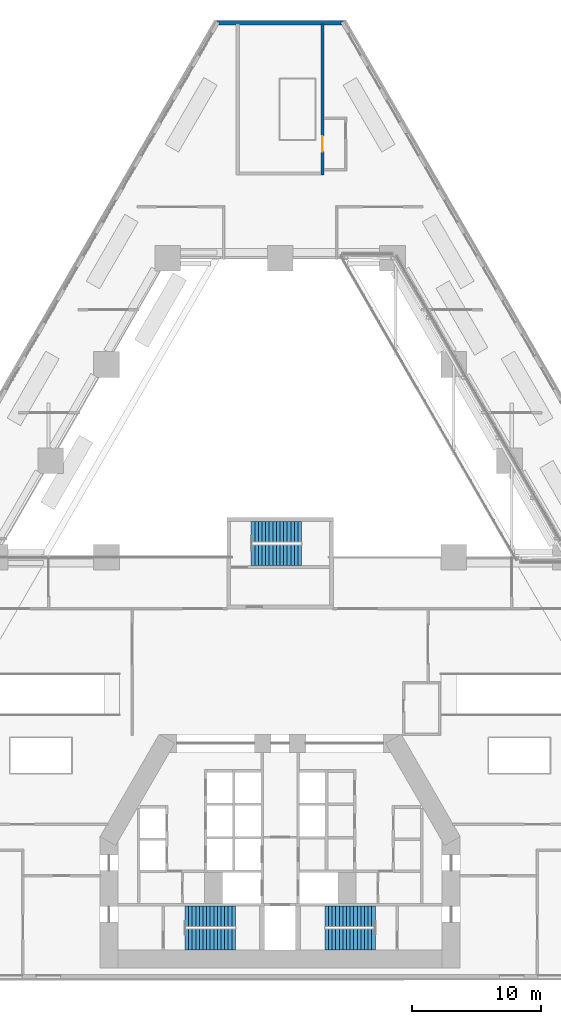
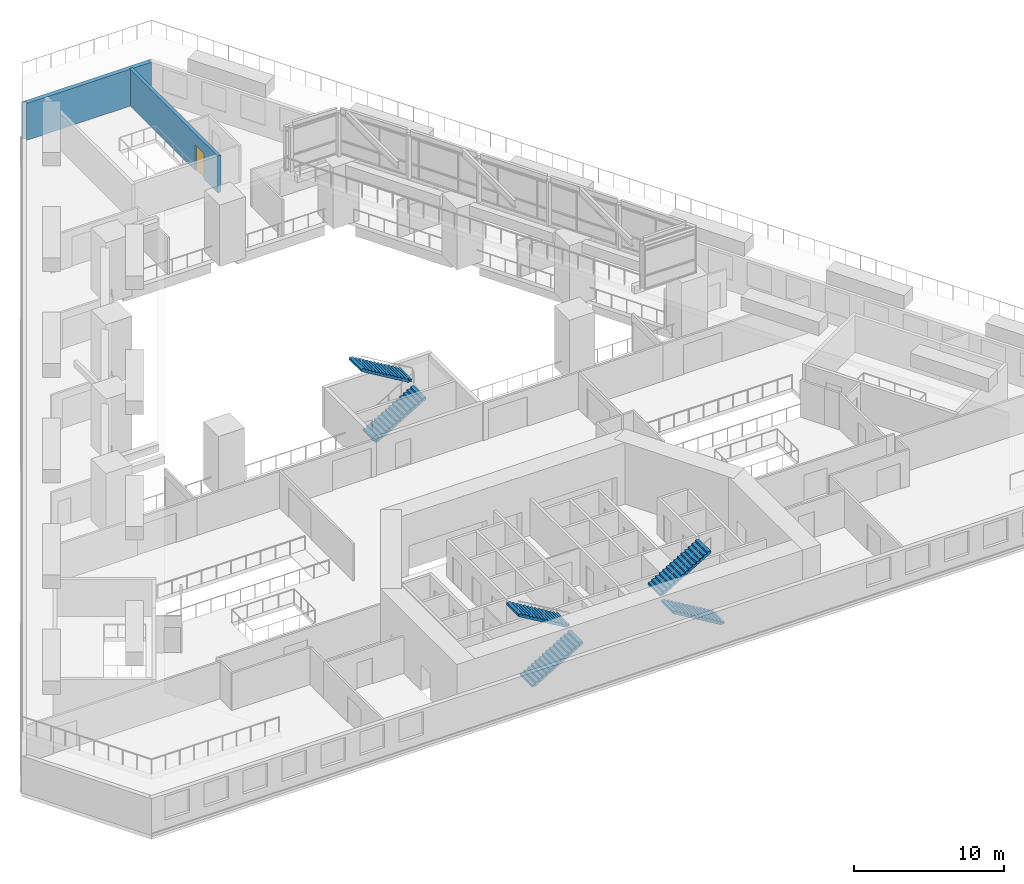
# One storey, part 14 of 19: 6 stair flights, 2 walls, 1 door, 1 opening, 3 elements without a shape of their own.
"""IFC4 building model written with IfcOpenShell, lengths in metres."""

import ifcopenshell
import ifcopenshell.guid

model = None  # the IFC model being written
_history = None  # IfcOwnerHistory: only IFC2X3 demands one
_inside = {}  # id of a spatial element -> (the spatial element, [elements in it])
_under = {}  # id of a project, library or spatial element -> (it, [spatial elements below it])
_declared = {}  # id of a project -> (the project, [libraries it declares])
_typed = {}  # id of a type object -> (the type object, [elements of that type])
_made_of = {}  # id of a material, layer set ... -> (it, [elements and type objects made of it])


def new_model(schema):
    """Start an empty IFC model of exactly this schema.

    Asked for "IFC4X3", IfcOpenShell would pick the latest addendum, in which some entities
    have other attributes; the version numbers below select the first issue.
    IFC2X3 requires an IfcOwnerHistory on every rooted entity: one is made here for all.
    """
    global model, _history
    if schema == "IFC4X3":
        model = ifcopenshell.file(schema_version=(4, 3, 0, 0))
    else:
        model = ifcopenshell.file(schema=schema)
    _inside.clear()
    _under.clear()
    _declared.clear()
    _typed.clear()
    _made_of.clear()
    _history = None
    if model.schema == "IFC2X3":
        org = make("IfcOrganization", Name="unknown")
        user = make(
            "IfcPersonAndOrganization",
            ThePerson=make("IfcPerson", FamilyName="unknown"),
            TheOrganization=org,
        )
        app = make(
            "IfcApplication",
            ApplicationDeveloper=org,
            Version="unknown",
            ApplicationFullName="unknown",
            ApplicationIdentifier="unknown",
        )
        _history = make(
            "IfcOwnerHistory",
            OwningUser=user,
            OwningApplication=app,
            ChangeAction="ADDED",
            CreationDate=0,
        )
    return model


def make(cls, **values):
    """One entity of the class cls with the attributes given. An attribute that is None is left unset."""
    return model.create_entity(
        cls, **{name: value for name, value in values.items() if value is not None}
    )


def rooted(cls, **values):
    """An entity with a GlobalId (a new one), such as an element, a storey or a relation."""
    return make(cls, GlobalId=ifcopenshell.guid.new(), OwnerHistory=_history, **values)


def si_unit(unit_type, name, prefix=None):
    """IfcSIUnit, for example si_unit("LENGTHUNIT", "METRE", prefix="MILLI")."""
    return make("IfcSIUnit", UnitType=unit_type, Prefix=prefix, Name=name)


def assignment(units):
    """IfcUnitAssignment: the units of a project."""
    return None if units is None else make("IfcUnitAssignment", Units=units)


def point(xyz):
    """IfcCartesianPoint."""
    return None if xyz is None else make("IfcCartesianPoint", Coordinates=xyz)


def direction(xyz):
    """IfcDirection."""
    return None if xyz is None else make("IfcDirection", DirectionRatios=xyz)


def frame(location, z_axis=None, x_axis=None):
    """IfcAxis2Placement3D, a coordinate frame: its origin and axes. An axis left out is left unset."""
    return make(
        "IfcAxis2Placement3D",
        Location=point(location),
        Axis=direction(z_axis),
        RefDirection=direction(x_axis),
    )


def frame_2d(location, x_axis=None):
    """IfcAxis2Placement2D, a coordinate frame in the plane: its origin and x axis."""
    return make(
        "IfcAxis2Placement2D", Location=point(location), RefDirection=direction(x_axis)
    )


def origin():
    """The frame at (0, 0, 0) with its axes left unset."""
    return frame((0.0, 0.0, 0.0))


def place(relative_to, where):
    """IfcLocalPlacement: puts the frame where relative to a parent placement (None: the world)."""
    return make(
        "IfcLocalPlacement", PlacementRelTo=relative_to, RelativePlacement=where
    )


def context(
    kind, dimensions, precision=None, world=None, true_north=None, identifier=None
):
    """IfcGeometricRepresentationContext, for example the 3D "Model" context."""
    return make(
        "IfcGeometricRepresentationContext",
        ContextIdentifier=identifier,
        ContextType=kind,
        CoordinateSpaceDimension=dimensions,
        Precision=precision,
        WorldCoordinateSystem=world,
        TrueNorth=true_north,
    )


def subcontext(parent, identifier, kind, view, scale=None):
    """IfcGeometricRepresentationSubContext, for example "Body" below "Model"."""
    return make(
        "IfcGeometricRepresentationSubContext",
        ContextIdentifier=identifier,
        ContextType=kind,
        ParentContext=parent,
        TargetScale=scale,
        TargetView=view,
    )


def project(units=None, contexts=None):
    """IfcProject with its units and contexts."""
    return rooted(
        "IfcProject",
        Name="project",
        RepresentationContexts=contexts,
        UnitsInContext=assignment(units),
    )


def spatial(cls, under=None, at=None, **own):
    """A site, building, storey or space (cls), placed at a placement, below another one or the project."""
    s = rooted(cls, ObjectPlacement=at, **own)
    if under is not None:
        _under.setdefault(under.id(), (under, []))[1].append(s)
    return s


def polyline(points):
    """IfcPolyline through the points."""
    return make("IfcPolyline", Points=[point(p) for p in points])


def profile(cls, at=None, kind="AREA", **sizes):
    """A parametric profile (cls). Its sizes go by their IFC names, for example OverallWidth=200.0."""
    return make(cls, ProfileType=kind, Position=at, **sizes)


def rectangle(**sizes):
    """IfcRectangleProfileDef."""
    return profile("IfcRectangleProfileDef", **sizes)


def outline(outer, holes=None, kind="AREA"):
    """IfcArbitraryClosedProfileDef: a profile drawn as a closed curve; with holes, ...WithVoids."""
    if holes is None:
        return make("IfcArbitraryClosedProfileDef", ProfileType=kind, OuterCurve=outer)
    return make(
        "IfcArbitraryProfileDefWithVoids",
        ProfileType=kind,
        OuterCurve=outer,
        InnerCurves=holes,
    )


def extrude(swept, where, along, depth):
    """IfcExtrudedAreaSolid: the profile swept, set in the frame where, extruded along a direction by depth."""
    return make(
        "IfcExtrudedAreaSolid",
        SweptArea=swept,
        Position=where,
        ExtrudedDirection=direction(along),
        Depth=depth,
    )


def shape(context_of_items, identifier, shape_type, items):
    """IfcShapeRepresentation: the items that make up one representation, for example the "Body"."""
    return make(
        "IfcShapeRepresentation",
        ContextOfItems=context_of_items,
        RepresentationIdentifier=identifier,
        RepresentationType=shape_type,
        Items=items,
    )


def material(Name=None, Category=None):
    """IfcMaterial."""
    return make("IfcMaterial", Name=Name, Category=Category)


def layer(
    of_material, thickness, ventilated=None, Name=None, Category=None, Priority=None
):
    """IfcMaterialLayer: one layer of a wall or slab, of a material (None: an air gap)."""
    return make(
        "IfcMaterialLayer",
        Material=of_material,
        LayerThickness=thickness,
        IsVentilated=ventilated,
        Name=Name,
        Category=Category,
        Priority=Priority,
    )


def layer_set(layers, Name=None):
    """IfcMaterialLayerSet."""
    return make("IfcMaterialLayerSet", MaterialLayers=layers, LayerSetName=Name)


def made_of(thing, what):
    """Note that an element or type object is made of a material, layer set ...; save() writes the relation."""
    if what is not None:
        _made_of.setdefault(what.id(), (what, []))[1].append(thing)
    return thing


def type_object(cls, material=None, **own):
    """A type object (cls), such as IfcWallType, which elements share."""
    return made_of(rooted(cls, **own), material)


def element(
    cls,
    number,
    at=None,
    inside=None,
    cuts=None,
    type_object=None,
    material=None,
    context=None,
    identifier="Body",
    shape_type=None,
    held_by="IfcProductDefinitionShape",
    body=None,
    shapes=None,
    **own,
):
    """One element of the class cls, such as IfcWall. Its Tag is "e" and its number.

    at: its placement. inside: the storey or other place that contains it. cuts: it is an
    opening in that element (IfcRelVoidsElement). A single representation is given by context,
    identifier, shape_type and body (its items); several are given by shapes. held_by: the class
    of the entity that holds the representations. save() writes the other relations.
    """
    e = rooted(cls, Tag="e%d" % number, ObjectPlacement=at, **own)
    if body is not None:
        shapes = [shape(context, identifier, shape_type, body)]
    if shapes is not None:
        e.Representation = make(held_by, Representations=shapes)
    if inside is not None:
        _inside.setdefault(inside.id(), (inside, []))[1].append(e)
    if cuts is not None:
        rooted(
            "IfcRelVoidsElement", RelatingBuildingElement=cuts, RelatedOpeningElement=e
        )
    if type_object is not None:
        _typed.setdefault(type_object.id(), (type_object, []))[1].append(e)
    return made_of(e, material)


def fill(opening, filler):
    """IfcRelFillsElement: the door or window that sits in an opening."""
    return rooted(
        "IfcRelFillsElement",
        RelatingOpeningElement=opening,
        RelatedBuildingElement=filler,
    )


def aggregate(whole, parts):
    """IfcRelAggregates: a whole, such as a stair, and the parts it consists of."""
    return rooted("IfcRelAggregates", RelatingObject=whole, RelatedObjects=parts)


def save(model, path):
    """Write the relations noted so far, then the file.

    IfcRelAggregates (storeys below a building ...), IfcRelContainedInSpatialStructure (elements
    in a storey), IfcRelDefinesByType, IfcRelAssociatesMaterial and IfcRelDeclares: one each for
    every whole, place, type object, material and project.
    """
    for whole, parts in _under.values():
        aggregate(whole, parts)
    for where, things in _inside.values():
        rooted(
            "IfcRelContainedInSpatialStructure",
            RelatedElements=things,
            RelatingStructure=where,
        )
    for kind, things in _typed.values():
        rooted("IfcRelDefinesByType", RelatedObjects=things, RelatingType=kind)
    for what, things in _made_of.values():
        rooted("IfcRelAssociatesMaterial", RelatedObjects=things, RelatingMaterial=what)
    for by, libraries in _declared.values():
        rooted("IfcRelDeclares", RelatingContext=by, RelatedDefinitions=libraries)
    model.write(path)


model = new_model("IFC4")

# Units and contexts
model_context = context("Model", 3, precision=1e-05, world=origin(), true_north=direction((0.0, 1.0)))
body_context = subcontext(model_context, "Body", "Model", "MODEL_VIEW")
ifc_project = project(units=[si_unit("LENGTHUNIT", "METRE"), si_unit("AREAUNIT", "SQUARE_METRE"), si_unit("VOLUMEUNIT", "CUBIC_METRE"), si_unit("PLANEANGLEUNIT", "RADIAN"), si_unit("MASSUNIT", "GRAM", prefix="KILO")], contexts=[model_context])

# Site, building, storey
site_placement = place(None, origin())
site = spatial("IfcSite", under=ifc_project, at=site_placement, CompositionType="ELEMENT")
building_placement = place(site_placement, origin())
building = spatial("IfcBuilding", under=site, at=building_placement, Name="Fogline Exchange Tower", CompositionType="ELEMENT")
storey_placement = place(building_placement, frame((0.0, 0.0, 20.0)))
storey = spatial("IfcBuildingStorey", under=building, at=storey_placement, Name="L03", CompositionType="ELEMENT", Elevation=20.0)

# Wall
ifc_material_1 = material(Name="Brick masonry", Category="masonry")
ifc_layer_1 = layer(ifc_material_1, 0.340087890625)
ifc_layer_set_1 = layer_set([ifc_layer_1], Name="FW1")
wall_type_1 = type_object("IfcWallType", Name="FW1", PredefinedType="SOLIDWALL", material=ifc_layer_set_1)
wall_1_placement = place(storey_placement, origin())
element("IfcWall", 1, at=wall_1_placement, inside=storey, type_object=wall_type_1, Name="Brick wall L03 N-c", PredefinedType="SOLIDWALL", context=body_context, shape_type="SweptSolid", body=[
    extrude(outline(polyline([(5.001220703125, 74.478271484375), (4.706298828125, 74.307861328125), (4.8046875, 74.1376953125), (-4.8046875, 74.1376953125), (-4.706298828125, 74.307861328125), (-5.001220703125, 74.478271484375), (-5.0009765625, 74.478759765625), (5.0009765625, 74.478759765625), (5.001220703125, 74.478271484375)])), origin(), (0.0, 0.0, 1.0), 3.0),
])

# Wall, opening, door
ifc_material_2 = material(Name="Concrete C40", Category="concrete")
ifc_layer_2 = layer(ifc_material_2, 0.25)
ifc_layer_set_2 = layer_set([ifc_layer_2], Name="PP3")
wall_type_2 = type_object("IfcWallType", Name="PP3", PredefinedType="SOLIDWALL", material=ifc_layer_set_2)
wall_2_placement = place(storey_placement, frame((3.300048828125, 74.233154296875, 0.0), z_axis=(0.0, 0.0, 1.0), x_axis=(0.0, -1.0, 0.0)))
wall_2 = element("IfcWall", 2, at=wall_2_placement, inside=storey, type_object=wall_type_2, Name="PP3 bearing wall", PredefinedType="SOLIDWALL", context=body_context, shape_type="SweptSolid", body=[
    extrude(rectangle(XDim=11.758056640625, YDim=0.25, at=frame_2d((5.87890625, 0.0))), origin(), (0.0, 0.0, 1.0), 3.0),
])
opening_placement = place(wall_2_placement, frame((8.733154296875, 0.0, 0.0)))
opening = element("IfcOpeningElement", 3, at=opening_placement, cuts=wall_2, Name="Opening P03-D001", PredefinedType="OPENING", context=body_context, shape_type="SweptSolid", body=[
    extrude(rectangle(XDim=1.199951171875, YDim=2.10009765625, at=frame_2d((0.60009765625, 1.050048828125))), frame((0.0, 0.135009765625, 0.0), z_axis=(0.0, -1.0, 0.0), x_axis=(1.0, 0.0, 0.0)), (0.0, 0.0, 1.0), 0.27001953125),
])
ifc_material_3 = material(Name="Steel Q235B", Category="steel")
door_type = type_object("IfcDoorType", Name="PD7", OperationType="SINGLE_SWING_LEFT", PredefinedType="DOOR", material=ifc_material_3)
door_placement = place(opening_placement, origin())
door = element("IfcDoor", 4, at=door_placement, inside=storey, type_object=door_type, Name="P03-D001", OperationType="SINGLE_SWING_LEFT", OverallHeight=2.10009765625, OverallWidth=1.199951171875, PredefinedType="DOOR", context=body_context, shape_type="SweptSolid", body=[
    extrude(rectangle(XDim=1.199951171875, YDim=2.10009765625, at=frame_2d((0.60009765625, 1.050048828125))), frame((0.0, 0.02490234375, 0.0), z_axis=(0.0, -1.0, 0.0), x_axis=(1.0, 0.0, 0.0)), (0.0, 0.0, 1.0), 0.050048828125),
])
fill(opening, door)

# Stair, stair flights
stair_type = type_object("IfcStairType", Name="STR30-1667", PredefinedType="HALF_TURN_STAIR", material=ifc_material_2)
stair_1_placement = place(storey_placement, origin())
stair_1 = element("IfcStair", 5, at=stair_1_placement, inside=storey, type_object=stair_type, Name="Stair ST1", PredefinedType="HALF_TURN_STAIR")
stair_flight_type = type_object("IfcStairFlightType", Name="SF15-1667", PredefinedType="STRAIGHT", material=ifc_material_2)
stair_flight_1_placement = place(storey_placement, frame((-7.39990234375, 3.050048828125, 0.0), z_axis=(0.0, 0.0, 1.0), x_axis=(1.0, 0.0, 0.0)))
stair_flight_1 = element("IfcStairFlight", 6, at=stair_flight_1_placement, type_object=stair_flight_type, Name="ST1 flight 1", NumberOfRisers=15, NumberOfTreads=14, PredefinedType="STRAIGHT", RiserHeight=0.166666667, TreadLength=0.28, context=body_context, shape_type="SweptSolid", body=[
    extrude(outline(polyline([(0.0, 0.0), (0.0, 0.166748046875), (0.280029296875, 0.166748046875), (0.280029296875, 0.333251953125), (0.56005859375, 0.333251953125), (0.56005859375, 0.5), (0.840087890625, 0.5), (0.840087890625, 0.666748046875), (1.1201171875, 0.666748046875), (1.1201171875, 0.833251953125), (1.39990234375, 0.833251953125), (1.39990234375, 1.0), (1.679931640625, 1.0), (1.679931640625, 1.166748046875), (1.9599609375, 1.166748046875), (1.9599609375, 1.333251953125), (2.239990234375, 1.333251953125), (2.239990234375, 1.5), (2.52001953125, 1.5), (2.52001953125, 1.666748046875), (2.800048828125, 1.666748046875), (2.800048828125, 1.833251953125), (3.080078125, 1.833251953125), (3.080078125, 2.0), (3.360107421875, 2.0), (3.360107421875, 2.166748046875), (3.639892578125, 2.166748046875), (3.639892578125, 2.333251953125), (3.919921875, 2.333251953125), (3.919921875, 2.5), (3.919921875, 2.158935546875), (0.29296875, 0.0), (0.0, 0.0)])), frame((0.0, 0.800048828125, 0.0), z_axis=(0.0, -1.0, 0.0), x_axis=(1.0, 0.0, 0.0)), (0.0, 0.0, 1.0), 1.60009765625),
])
stair_flight_2_placement = place(storey_placement, frame((-3.47998046875, 4.85009765625, 2.5), z_axis=(0.0, 0.0, 1.0), x_axis=(-1.0, 0.0, 0.0)))
stair_flight_2 = element("IfcStairFlight", 7, at=stair_flight_2_placement, type_object=stair_flight_type, Name="ST1 flight 2", NumberOfRisers=15, NumberOfTreads=14, PredefinedType="STRAIGHT", RiserHeight=0.166666667, TreadLength=0.28, context=body_context, shape_type="SweptSolid", body=[
    extrude(outline(polyline([(0.0, 0.0), (0.0, 0.166748046875), (0.280029296875, 0.166748046875), (0.280029296875, 0.333251953125), (0.56005859375, 0.333251953125), (0.56005859375, 0.5), (0.840087890625, 0.5), (0.840087890625, 0.666748046875), (1.1201171875, 0.666748046875), (1.1201171875, 0.833251953125), (1.39990234375, 0.833251953125), (1.39990234375, 1.0), (1.679931640625, 1.0), (1.679931640625, 1.166748046875), (1.9599609375, 1.166748046875), (1.9599609375, 1.333251953125), (2.239990234375, 1.333251953125), (2.239990234375, 1.5), (2.52001953125, 1.5), (2.52001953125, 1.666748046875), (2.800048828125, 1.666748046875), (2.800048828125, 1.833251953125), (3.080078125, 1.833251953125), (3.080078125, 2.0), (3.360107421875, 2.0), (3.360107421875, 2.166748046875), (3.639892578125, 2.166748046875), (3.639892578125, 2.333251953125), (3.919921875, 2.333251953125), (3.919921875, 2.5), (3.919921875, 2.158935546875), (0.29296875, 0.0), (0.0, 0.0)])), frame((0.0, 0.800048828125, 0.0), z_axis=(0.0, -1.0, 0.0), x_axis=(1.0, 0.0, 0.0)), (0.0, 0.0, 1.0), 1.60009765625),
])
aggregate(stair_1, [stair_flight_1, stair_flight_2])

stair_2_placement = place(storey_placement, origin())
stair_2 = element("IfcStair", 8, at=stair_2_placement, inside=storey, type_object=stair_type, Name="Stair ST2", PredefinedType="HALF_TURN_STAIR")
stair_flight_3_placement = place(storey_placement, frame((7.39990234375, 3.050048828125, 0.0), z_axis=(0.0, 0.0, 1.0), x_axis=(-1.0, 0.0, 0.0)))
stair_flight_3 = element("IfcStairFlight", 9, at=stair_flight_3_placement, type_object=stair_flight_type, Name="ST2 flight 1", NumberOfRisers=15, NumberOfTreads=14, PredefinedType="STRAIGHT", RiserHeight=0.166666667, TreadLength=0.28, context=body_context, shape_type="SweptSolid", body=[
    extrude(outline(polyline([(0.0, 0.0), (0.0, 0.166748046875), (0.280029296875, 0.166748046875), (0.280029296875, 0.333251953125), (0.56005859375, 0.333251953125), (0.56005859375, 0.5), (0.840087890625, 0.5), (0.840087890625, 0.666748046875), (1.1201171875, 0.666748046875), (1.1201171875, 0.833251953125), (1.39990234375, 0.833251953125), (1.39990234375, 1.0), (1.679931640625, 1.0), (1.679931640625, 1.166748046875), (1.9599609375, 1.166748046875), (1.9599609375, 1.333251953125), (2.239990234375, 1.333251953125), (2.239990234375, 1.5), (2.52001953125, 1.5), (2.52001953125, 1.666748046875), (2.800048828125, 1.666748046875), (2.800048828125, 1.833251953125), (3.080078125, 1.833251953125), (3.080078125, 2.0), (3.360107421875, 2.0), (3.360107421875, 2.166748046875), (3.639892578125, 2.166748046875), (3.639892578125, 2.333251953125), (3.919921875, 2.333251953125), (3.919921875, 2.5), (3.919921875, 2.158935546875), (0.29296875, 0.0), (0.0, 0.0)])), frame((0.0, 0.800048828125, 0.0), z_axis=(0.0, -1.0, 0.0), x_axis=(1.0, 0.0, 0.0)), (0.0, 0.0, 1.0), 1.60009765625),
])
stair_flight_4_placement = place(storey_placement, frame((3.47998046875, 4.85009765625, 2.5), z_axis=(0.0, 0.0, 1.0), x_axis=(1.0, 0.0, 0.0)))
stair_flight_4 = element("IfcStairFlight", 10, at=stair_flight_4_placement, type_object=stair_flight_type, Name="ST2 flight 2", NumberOfRisers=15, NumberOfTreads=14, PredefinedType="STRAIGHT", RiserHeight=0.166666667, TreadLength=0.28, context=body_context, shape_type="SweptSolid", body=[
    extrude(outline(polyline([(0.0, 0.0), (0.0, 0.166748046875), (0.280029296875, 0.166748046875), (0.280029296875, 0.333251953125), (0.56005859375, 0.333251953125), (0.56005859375, 0.5), (0.840087890625, 0.5), (0.840087890625, 0.666748046875), (1.1201171875, 0.666748046875), (1.1201171875, 0.833251953125), (1.39990234375, 0.833251953125), (1.39990234375, 1.0), (1.679931640625, 1.0), (1.679931640625, 1.166748046875), (1.9599609375, 1.166748046875), (1.9599609375, 1.333251953125), (2.239990234375, 1.333251953125), (2.239990234375, 1.5), (2.52001953125, 1.5), (2.52001953125, 1.666748046875), (2.800048828125, 1.666748046875), (2.800048828125, 1.833251953125), (3.080078125, 1.833251953125), (3.080078125, 2.0), (3.360107421875, 2.0), (3.360107421875, 2.166748046875), (3.639892578125, 2.166748046875), (3.639892578125, 2.333251953125), (3.919921875, 2.333251953125), (3.919921875, 2.5), (3.919921875, 2.158935546875), (0.29296875, 0.0), (0.0, 0.0)])), frame((0.0, 0.800048828125, 0.0), z_axis=(0.0, -1.0, 0.0), x_axis=(1.0, 0.0, 0.0)), (0.0, 0.0, 1.0), 1.60009765625),
])
aggregate(stair_2, [stair_flight_3, stair_flight_4])

stair_3_placement = place(storey_placement, origin())
stair_3 = element("IfcStair", 11, at=stair_3_placement, inside=storey, type_object=stair_type, Name="Stair ST3", PredefinedType="HALF_TURN_STAIR")
stair_flight_5_placement = place(storey_placement, frame((-2.25, 32.906982421875, 0.0), z_axis=(0.0, 0.0, 1.0), x_axis=(1.0, 0.0, 0.0)))
stair_flight_5 = element("IfcStairFlight", 12, at=stair_flight_5_placement, type_object=stair_flight_type, Name="ST3 flight 1", NumberOfRisers=15, NumberOfTreads=14, PredefinedType="STRAIGHT", RiserHeight=0.166666667, TreadLength=0.28, context=body_context, shape_type="SweptSolid", body=[
    extrude(outline(polyline([(0.0, 0.0), (0.0, 0.166748046875), (0.280029296875, 0.166748046875), (0.280029296875, 0.333251953125), (0.56005859375, 0.333251953125), (0.56005859375, 0.5), (0.840087890625, 0.5), (0.840087890625, 0.666748046875), (1.1201171875, 0.666748046875), (1.1201171875, 0.833251953125), (1.39990234375, 0.833251953125), (1.39990234375, 1.0), (1.679931640625, 1.0), (1.679931640625, 1.166748046875), (1.9599609375, 1.166748046875), (1.9599609375, 1.333251953125), (2.239990234375, 1.333251953125), (2.239990234375, 1.5), (2.52001953125, 1.5), (2.52001953125, 1.666748046875), (2.800048828125, 1.666748046875), (2.800048828125, 1.833251953125), (3.080078125, 1.833251953125), (3.080078125, 2.0), (3.360107421875, 2.0), (3.360107421875, 2.166748046875), (3.639892578125, 2.166748046875), (3.639892578125, 2.333251953125), (3.919921875, 2.333251953125), (3.919921875, 2.5), (3.919921875, 2.158935546875), (0.29296875, 0.0), (0.0, 0.0)])), frame((0.0, 0.800048828125, 0.0), z_axis=(0.0, -1.0, 0.0), x_axis=(1.0, 0.0, 0.0)), (0.0, 0.0, 1.0), 1.60009765625),
])
stair_flight_6_placement = place(storey_placement, frame((1.669921875, 34.757080078125, 2.5), z_axis=(0.0, 0.0, 1.0), x_axis=(-1.0, 0.0, 0.0)))
stair_flight_6 = element("IfcStairFlight", 13, at=stair_flight_6_placement, type_object=stair_flight_type, Name="ST3 flight 2", NumberOfRisers=15, NumberOfTreads=14, PredefinedType="STRAIGHT", RiserHeight=0.166666667, TreadLength=0.28, context=body_context, shape_type="SweptSolid", body=[
    extrude(outline(polyline([(0.0, 0.0), (0.0, 0.166748046875), (0.280029296875, 0.166748046875), (0.280029296875, 0.333251953125), (0.56005859375, 0.333251953125), (0.56005859375, 0.5), (0.840087890625, 0.5), (0.840087890625, 0.666748046875), (1.1201171875, 0.666748046875), (1.1201171875, 0.833251953125), (1.39990234375, 0.833251953125), (1.39990234375, 1.0), (1.679931640625, 1.0), (1.679931640625, 1.166748046875), (1.9599609375, 1.166748046875), (1.9599609375, 1.333251953125), (2.239990234375, 1.333251953125), (2.239990234375, 1.5), (2.52001953125, 1.5), (2.52001953125, 1.666748046875), (2.800048828125, 1.666748046875), (2.800048828125, 1.833251953125), (3.080078125, 1.833251953125), (3.080078125, 2.0), (3.360107421875, 2.0), (3.360107421875, 2.166748046875), (3.639892578125, 2.166748046875), (3.639892578125, 2.333251953125), (3.919921875, 2.333251953125), (3.919921875, 2.5), (3.919921875, 2.158935546875), (0.29296875, 0.0), (0.0, 0.0)])), frame((0.0, 0.800048828125, 0.0), z_axis=(0.0, -1.0, 0.0), x_axis=(1.0, 0.0, 0.0)), (0.0, 0.0, 1.0), 1.60009765625),
])
aggregate(stair_3, [stair_flight_5, stair_flight_6])

save(model, "model.ifc")
